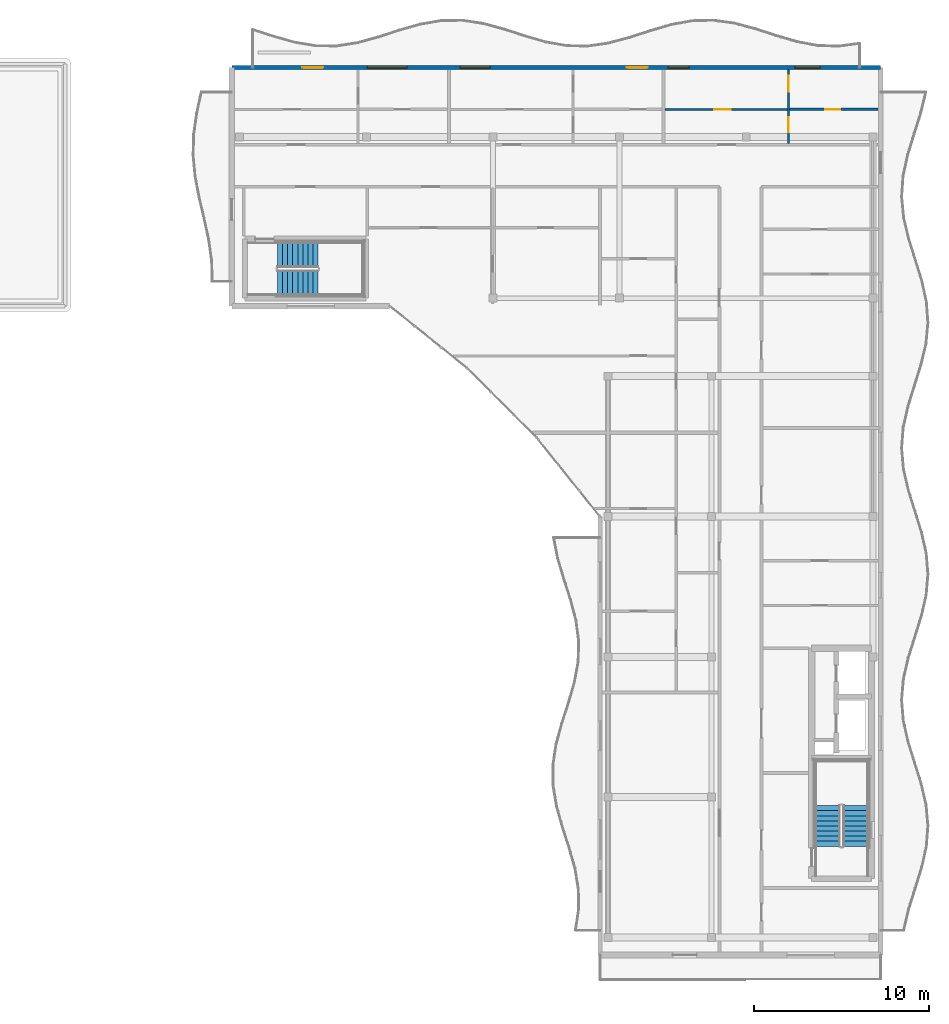
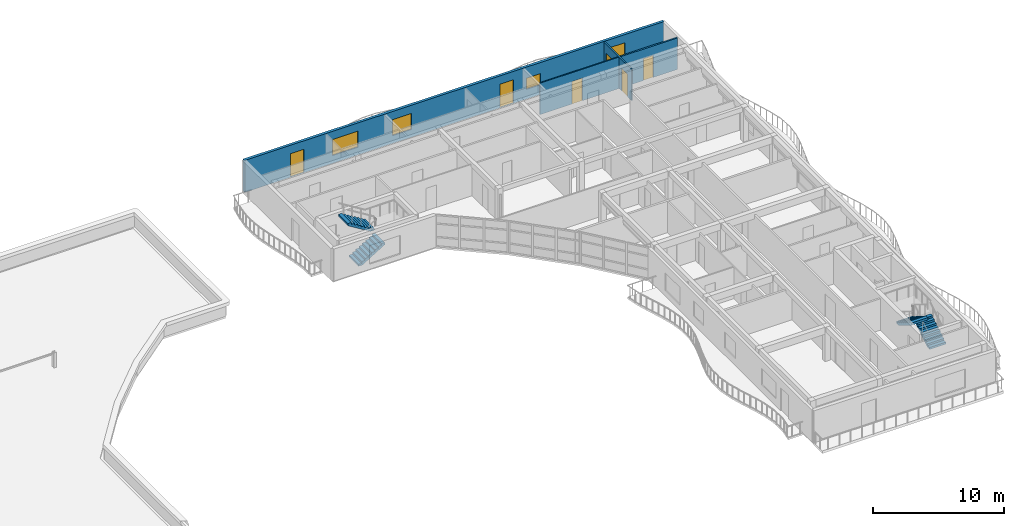
# One storey, part 13 of 18: 6 doors, 4 stair flights, 4 walls, 4 windows, 10 openings, 2 elements without a shape of their own.
"""IFC4 building model written with IfcOpenShell, lengths in metres."""

import ifcopenshell
import ifcopenshell.guid

model = None  # the IFC model being written
_history = None  # IfcOwnerHistory: only IFC2X3 demands one
_inside = {}  # id of a spatial element -> (the spatial element, [elements in it])
_under = {}  # id of a project, library or spatial element -> (it, [spatial elements below it])
_declared = {}  # id of a project -> (the project, [libraries it declares])
_typed = {}  # id of a type object -> (the type object, [elements of that type])
_made_of = {}  # id of a material, layer set ... -> (it, [elements and type objects made of it])


def new_model(schema):
    """Start an empty IFC model of exactly this schema.

    Asked for "IFC4X3", IfcOpenShell would pick the latest addendum, in which some entities
    have other attributes; the version numbers below select the first issue.
    IFC2X3 requires an IfcOwnerHistory on every rooted entity: one is made here for all.
    """
    global model, _history
    if schema == "IFC4X3":
        model = ifcopenshell.file(schema_version=(4, 3, 0, 0))
    else:
        model = ifcopenshell.file(schema=schema)
    _inside.clear()
    _under.clear()
    _declared.clear()
    _typed.clear()
    _made_of.clear()
    _history = None
    if model.schema == "IFC2X3":
        org = make("IfcOrganization", Name="unknown")
        user = make(
            "IfcPersonAndOrganization",
            ThePerson=make("IfcPerson", FamilyName="unknown"),
            TheOrganization=org,
        )
        app = make(
            "IfcApplication",
            ApplicationDeveloper=org,
            Version="unknown",
            ApplicationFullName="unknown",
            ApplicationIdentifier="unknown",
        )
        _history = make(
            "IfcOwnerHistory",
            OwningUser=user,
            OwningApplication=app,
            ChangeAction="ADDED",
            CreationDate=0,
        )
    return model


def make(cls, **values):
    """One entity of the class cls with the attributes given. An attribute that is None is left unset."""
    return model.create_entity(
        cls, **{name: value for name, value in values.items() if value is not None}
    )


def rooted(cls, **values):
    """An entity with a GlobalId (a new one), such as an element, a storey or a relation."""
    return make(cls, GlobalId=ifcopenshell.guid.new(), OwnerHistory=_history, **values)


def si_unit(unit_type, name, prefix=None):
    """IfcSIUnit, for example si_unit("LENGTHUNIT", "METRE", prefix="MILLI")."""
    return make("IfcSIUnit", UnitType=unit_type, Prefix=prefix, Name=name)


def assignment(units):
    """IfcUnitAssignment: the units of a project."""
    return None if units is None else make("IfcUnitAssignment", Units=units)


def point(xyz):
    """IfcCartesianPoint."""
    return None if xyz is None else make("IfcCartesianPoint", Coordinates=xyz)


def direction(xyz):
    """IfcDirection."""
    return None if xyz is None else make("IfcDirection", DirectionRatios=xyz)


def frame(location, z_axis=None, x_axis=None):
    """IfcAxis2Placement3D, a coordinate frame: its origin and axes. An axis left out is left unset."""
    return make(
        "IfcAxis2Placement3D",
        Location=point(location),
        Axis=direction(z_axis),
        RefDirection=direction(x_axis),
    )


def frame_2d(location, x_axis=None):
    """IfcAxis2Placement2D, a coordinate frame in the plane: its origin and x axis."""
    return make(
        "IfcAxis2Placement2D", Location=point(location), RefDirection=direction(x_axis)
    )


def origin():
    """The frame at (0, 0, 0) with its axes left unset."""
    return frame((0.0, 0.0, 0.0))


def place(relative_to, where):
    """IfcLocalPlacement: puts the frame where relative to a parent placement (None: the world)."""
    return make(
        "IfcLocalPlacement", PlacementRelTo=relative_to, RelativePlacement=where
    )


def context(
    kind, dimensions, precision=None, world=None, true_north=None, identifier=None
):
    """IfcGeometricRepresentationContext, for example the 3D "Model" context."""
    return make(
        "IfcGeometricRepresentationContext",
        ContextIdentifier=identifier,
        ContextType=kind,
        CoordinateSpaceDimension=dimensions,
        Precision=precision,
        WorldCoordinateSystem=world,
        TrueNorth=true_north,
    )


def subcontext(parent, identifier, kind, view, scale=None):
    """IfcGeometricRepresentationSubContext, for example "Body" below "Model"."""
    return make(
        "IfcGeometricRepresentationSubContext",
        ContextIdentifier=identifier,
        ContextType=kind,
        ParentContext=parent,
        TargetScale=scale,
        TargetView=view,
    )


def project(units=None, contexts=None):
    """IfcProject with its units and contexts."""
    return rooted(
        "IfcProject",
        Name="project",
        RepresentationContexts=contexts,
        UnitsInContext=assignment(units),
    )


def spatial(cls, under=None, at=None, **own):
    """A site, building, storey or space (cls), placed at a placement, below another one or the project."""
    s = rooted(cls, ObjectPlacement=at, **own)
    if under is not None:
        _under.setdefault(under.id(), (under, []))[1].append(s)
    return s


def polyline(points):
    """IfcPolyline through the points."""
    return make("IfcPolyline", Points=[point(p) for p in points])


def profile(cls, at=None, kind="AREA", **sizes):
    """A parametric profile (cls). Its sizes go by their IFC names, for example OverallWidth=200.0."""
    return make(cls, ProfileType=kind, Position=at, **sizes)


def rectangle(**sizes):
    """IfcRectangleProfileDef."""
    return profile("IfcRectangleProfileDef", **sizes)


def outline(outer, holes=None, kind="AREA"):
    """IfcArbitraryClosedProfileDef: a profile drawn as a closed curve; with holes, ...WithVoids."""
    if holes is None:
        return make("IfcArbitraryClosedProfileDef", ProfileType=kind, OuterCurve=outer)
    return make(
        "IfcArbitraryProfileDefWithVoids",
        ProfileType=kind,
        OuterCurve=outer,
        InnerCurves=holes,
    )


def extrude(swept, where, along, depth):
    """IfcExtrudedAreaSolid: the profile swept, set in the frame where, extruded along a direction by depth."""
    return make(
        "IfcExtrudedAreaSolid",
        SweptArea=swept,
        Position=where,
        ExtrudedDirection=direction(along),
        Depth=depth,
    )


def shape(context_of_items, identifier, shape_type, items):
    """IfcShapeRepresentation: the items that make up one representation, for example the "Body"."""
    return make(
        "IfcShapeRepresentation",
        ContextOfItems=context_of_items,
        RepresentationIdentifier=identifier,
        RepresentationType=shape_type,
        Items=items,
    )


def material(Name=None, Category=None):
    """IfcMaterial."""
    return make("IfcMaterial", Name=Name, Category=Category)


def layer(
    of_material, thickness, ventilated=None, Name=None, Category=None, Priority=None
):
    """IfcMaterialLayer: one layer of a wall or slab, of a material (None: an air gap)."""
    return make(
        "IfcMaterialLayer",
        Material=of_material,
        LayerThickness=thickness,
        IsVentilated=ventilated,
        Name=Name,
        Category=Category,
        Priority=Priority,
    )


def layer_set(layers, Name=None):
    """IfcMaterialLayerSet."""
    return make("IfcMaterialLayerSet", MaterialLayers=layers, LayerSetName=Name)


def made_of(thing, what):
    """Note that an element or type object is made of a material, layer set ...; save() writes the relation."""
    if what is not None:
        _made_of.setdefault(what.id(), (what, []))[1].append(thing)
    return thing


def type_object(cls, material=None, **own):
    """A type object (cls), such as IfcWallType, which elements share."""
    return made_of(rooted(cls, **own), material)


def element(
    cls,
    number,
    at=None,
    inside=None,
    cuts=None,
    type_object=None,
    material=None,
    context=None,
    identifier="Body",
    shape_type=None,
    held_by="IfcProductDefinitionShape",
    body=None,
    shapes=None,
    **own,
):
    """One element of the class cls, such as IfcWall. Its Tag is "e" and its number.

    at: its placement. inside: the storey or other place that contains it. cuts: it is an
    opening in that element (IfcRelVoidsElement). A single representation is given by context,
    identifier, shape_type and body (its items); several are given by shapes. held_by: the class
    of the entity that holds the representations. save() writes the other relations.
    """
    e = rooted(cls, Tag="e%d" % number, ObjectPlacement=at, **own)
    if body is not None:
        shapes = [shape(context, identifier, shape_type, body)]
    if shapes is not None:
        e.Representation = make(held_by, Representations=shapes)
    if inside is not None:
        _inside.setdefault(inside.id(), (inside, []))[1].append(e)
    if cuts is not None:
        rooted(
            "IfcRelVoidsElement", RelatingBuildingElement=cuts, RelatedOpeningElement=e
        )
    if type_object is not None:
        _typed.setdefault(type_object.id(), (type_object, []))[1].append(e)
    return made_of(e, material)


def fill(opening, filler):
    """IfcRelFillsElement: the door or window that sits in an opening."""
    return rooted(
        "IfcRelFillsElement",
        RelatingOpeningElement=opening,
        RelatedBuildingElement=filler,
    )


def aggregate(whole, parts):
    """IfcRelAggregates: a whole, such as a stair, and the parts it consists of."""
    return rooted("IfcRelAggregates", RelatingObject=whole, RelatedObjects=parts)


def save(model, path):
    """Write the relations noted so far, then the file.

    IfcRelAggregates (storeys below a building ...), IfcRelContainedInSpatialStructure (elements
    in a storey), IfcRelDefinesByType, IfcRelAssociatesMaterial and IfcRelDeclares: one each for
    every whole, place, type object, material and project.
    """
    for whole, parts in _under.values():
        aggregate(whole, parts)
    for where, things in _inside.values():
        rooted(
            "IfcRelContainedInSpatialStructure",
            RelatedElements=things,
            RelatingStructure=where,
        )
    for kind, things in _typed.values():
        rooted("IfcRelDefinesByType", RelatedObjects=things, RelatingType=kind)
    for what, things in _made_of.values():
        rooted("IfcRelAssociatesMaterial", RelatedObjects=things, RelatingMaterial=what)
    for by, libraries in _declared.values():
        rooted("IfcRelDeclares", RelatingContext=by, RelatedDefinitions=libraries)
    model.write(path)


model = new_model("IFC4")

# Units and contexts
model_context = context("Model", 3, precision=1e-05, world=origin(), true_north=direction((0.0, 1.0)))
body_context = subcontext(model_context, "Body", "Model", "MODEL_VIEW")
ifc_project = project(units=[si_unit("LENGTHUNIT", "METRE"), si_unit("AREAUNIT", "SQUARE_METRE"), si_unit("VOLUMEUNIT", "CUBIC_METRE"), si_unit("PLANEANGLEUNIT", "RADIAN"), si_unit("MASSUNIT", "GRAM", prefix="KILO")], contexts=[model_context])

# Site, building, storey
site_placement = place(None, origin())
site = spatial("IfcSite", under=ifc_project, at=site_placement, CompositionType="ELEMENT")
building_placement = place(site_placement, origin())
building = spatial("IfcBuilding", under=site, at=building_placement, Name="Keldmere Railside Commons", CompositionType="ELEMENT")
storey_placement = place(building_placement, frame((0.0, 0.0, 39.360107421875)))
storey = spatial("IfcBuildingStorey", under=building, at=storey_placement, Name="L12", CompositionType="ELEMENT", Elevation=39.360107421875)

# Wall, openings, doors
ifc_material_1 = material(Name="Acoustic Gypsum Board Partition", Category="gypsum")
ifc_layer_1 = layer(ifc_material_1, 0.1201171875, Name="Apartment Interior Partition 120")
ifc_layer_set_1 = layer_set([ifc_layer_1], Name="Acoustic Gypsum Board Partition")
wall_type_1 = type_object("IfcWallType", Name="Apartment Interior Partition 120", PredefinedType="PARTITIONING", material=ifc_layer_set_1)
wall_1_placement = place(storey_placement, frame((178.739990234375, 109.280029296875, 0.0), z_axis=(0.0, 0.0, 1.0), x_axis=(0.0, 1.0, 0.0)))
wall_1 = element("IfcWall", 1, at=wall_1_placement, inside=storey, type_object=wall_type_1, Name="IW-4 IW-L12-1921", PredefinedType="PARTITIONING", context=body_context, shape_type="SweptSolid", body=[
    extrude(rectangle(XDim=4.199951171875, YDim=0.1201171875, at=frame_2d((2.10009765625, 0.0))), origin(), (0.0, 0.0, 1.0), 2.934814453125),
])
opening_1_placement = place(wall_1_placement, frame((0.61767578125, 0.0, 0.0)))
opening_1 = element("IfcOpeningElement", 2, at=opening_1_placement, cuts=wall_1, Name="Opening ID-04", PredefinedType="OPENING", context=body_context, shape_type="SweptSolid", body=[
    extrude(rectangle(XDim=0.860107421875, YDim=2.10009765625, at=frame_2d((0.43017578125, 1.050048828125))), frame((0.0, 0.070068359375, 0.0), z_axis=(0.0, -1.0, 0.0), x_axis=(1.0, 0.0, 0.0)), (0.0, 0.0, 1.0), 0.14013671875),
])
opening_2_placement = place(wall_1_placement, frame((2.951416015625, 0.0, 0.0)))
opening_2 = element("IfcOpeningElement", 3, at=opening_2_placement, cuts=wall_1, Name="Opening ID-01", PredefinedType="OPENING", context=body_context, shape_type="SweptSolid", body=[
    extrude(rectangle(XDim=0.89990234375, YDim=2.10009765625, at=frame_2d((0.449951171875, 1.050048828125))), frame((0.0, 0.070068359375, 0.0), z_axis=(0.0, -1.0, 0.0), x_axis=(1.0, 0.0, 0.0)), (0.0, 0.0, 1.0), 0.14013671875),
])
ifc_material_2 = material(Name="Engineered Oak Timber", Category="wood")
door_type_1 = type_object("IfcDoorType", Name="Apartment Bathroom Door 860x2100", OperationType="NOTDEFINED", PredefinedType="DOOR", material=ifc_material_2)
door_1_placement = place(opening_1_placement, origin())
door_1 = element("IfcDoor", 4, at=door_1_placement, inside=storey, type_object=door_type_1, Name="ID-04 IDR-L12-1763", OperationType="SINGLE_SWING_LEFT", OverallHeight=2.10009765625, OverallWidth=0.860107421875, PredefinedType="DOOR", context=body_context, shape_type="SweptSolid", body=[
    extrude(rectangle(XDim=0.860107421875, YDim=2.10009765625, at=frame_2d((0.43017578125, 1.050048828125))), frame((0.0, 0.02490234375, 0.0), z_axis=(0.0, -1.0, 0.0), x_axis=(1.0, 0.0, 0.0)), (0.0, 0.0, 1.0), 0.050048828125),
])
fill(opening_1, door_1)
door_type_2 = type_object("IfcDoorType", Name="Primary Bedroom Door 900x2100", OperationType="NOTDEFINED", PredefinedType="DOOR", material=ifc_material_2)
door_2_placement = place(opening_2_placement, origin())
door_2 = element("IfcDoor", 5, at=door_2_placement, inside=storey, type_object=door_type_2, Name="ID-01 IDR-L12-1764", OperationType="SINGLE_SWING_RIGHT", OverallHeight=2.10009765625, OverallWidth=0.89990234375, PredefinedType="DOOR", context=body_context, shape_type="SweptSolid", body=[
    extrude(rectangle(XDim=0.89990234375, YDim=2.10009765625, at=frame_2d((0.449951171875, 1.050048828125))), frame((0.0, 0.02490234375, 0.0), z_axis=(0.0, -1.0, 0.0), x_axis=(1.0, 0.0, 0.0)), (0.0, 0.0, 1.0), 0.050048828125),
])
fill(opening_2, door_2)

# Wall, opening, door
ifc_layer_2 = layer(ifc_material_1, 0.10009765625, Name="Closet Light Partition 100")
ifc_layer_set_2 = layer_set([ifc_layer_2], Name="Acoustic Gypsum Board Partition")
wall_type_2 = type_object("IfcWallType", Name="Closet Light Partition 100", PredefinedType="PARTITIONING", material=ifc_layer_set_2)
wall_2_placement = place(storey_placement, frame((171.699951171875, 111.2099609375, 0.0), z_axis=(0.0, 0.0, 1.0), x_axis=(1.0, 0.0, 0.0)))
wall_2 = element("IfcWall", 6, at=wall_2_placement, inside=storey, type_object=wall_type_2, Name="IW-6 IW-L12-1923", PredefinedType="PARTITIONING", context=body_context, shape_type="SweptSolid", body=[
    extrude(rectangle(XDim=6.97998046875, YDim=0.10009765625, at=frame_2d((3.489990234375, 0.0))), origin(), (0.0, 0.0, 1.0), 2.934814453125),
])
opening_3_placement = place(wall_2_placement, frame((2.81591796875, 0.0, 0.0)))
opening_3 = element("IfcOpeningElement", 7, at=opening_3_placement, cuts=wall_2, Name="Opening ID-03", PredefinedType="OPENING", context=body_context, shape_type="SweptSolid", body=[
    extrude(rectangle(XDim=0.919921875, YDim=2.10009765625, at=frame_2d((0.4599609375, 1.050048828125))), frame((0.0, 0.06005859375, 0.0), z_axis=(0.0, -1.0, 0.0), x_axis=(1.0, 0.0, 0.0)), (0.0, 0.0, 1.0), 0.1201171875),
])
door_type_3 = type_object("IfcDoorType", Name="Kitchen Pocket-Frame Swing Door 920x2100", OperationType="NOTDEFINED", PredefinedType="DOOR", material=ifc_material_2)
door_3_placement = place(opening_3_placement, origin())
door_3 = element("IfcDoor", 8, at=door_3_placement, inside=storey, type_object=door_type_3, Name="ID-03 IDR-L12-1762", OperationType="SINGLE_SWING_RIGHT", OverallHeight=2.10009765625, OverallWidth=0.919921875, PredefinedType="DOOR", context=body_context, shape_type="SweptSolid", body=[
    extrude(rectangle(XDim=0.919921875, YDim=2.10009765625, at=frame_2d((0.4599609375, 1.050048828125))), frame((0.0, 0.02490234375, 0.0), z_axis=(0.0, -1.0, 0.0), x_axis=(1.0, 0.0, 0.0)), (0.0, 0.0, 1.0), 0.050048828125),
])
fill(opening_3, door_3)

# Wall, openings, windows, doors
ifc_material_3 = material(Name="Architectural Precast Concrete H-35 (C35/45)", Category="concrete")
ifc_layer_3 = layer(ifc_material_3, 0.239990234375, Name="Sand-Ochre Precast Cavity Wall 240")
ifc_layer_set_3 = layer_set([ifc_layer_3], Name="Architectural Precast Concrete H-35 (C35/45)")
wall_type_3 = type_object("IfcWallType", Name="Sand-Ochre Precast Cavity Wall 240", PredefinedType="SOLIDWALL", material=ifc_layer_set_3)
wall_3_placement = place(storey_placement, frame((147.0, 113.60009765625, 0.0), z_axis=(0.0, 0.0, 1.0), x_axis=(1.0, 0.0, 0.0)))
wall_3 = element("IfcWall", 9, at=wall_3_placement, inside=storey, type_object=wall_type_3, Name="EW-2 EXTA-L12-0960", PredefinedType="SOLIDWALL", context=body_context, shape_type="SweptSolid", body=[
    extrude(rectangle(XDim=37.0, YDim=0.239990234375, at=frame_2d((18.5, 0.0))), origin(), (0.0, 0.0, 1.0), 2.97998046875),
])
opening_4_placement = place(wall_3_placement, frame((4.02490234375, 0.0, 0.0)))
opening_4 = element("IfcOpeningElement", 10, at=opening_4_placement, cuts=wall_3, Name="Opening BD-01", PredefinedType="OPENING", context=body_context, shape_type="SweptSolid", body=[
    extrude(rectangle(XDim=1.199951171875, YDim=2.199951171875, at=frame_2d((0.60009765625, 1.10009765625))), frame((0.0, 0.1298828125, 0.0), z_axis=(0.0, -1.0, 0.0), x_axis=(1.0, 0.0, 0.0)), (0.0, 0.0, 1.0), 0.260009765625),
])
opening_5_placement = place(wall_3_placement, frame((7.72509765625, 0.0, 0.719970703125)))
opening_5 = element("IfcOpeningElement", 11, at=opening_5_placement, cuts=wall_3, Name="Opening WN-12", PredefinedType="OPENING", context=body_context, shape_type="SweptSolid", body=[
    extrude(rectangle(XDim=2.25, YDim=1.5, at=frame_2d((1.125, 0.75))), frame((0.0, 0.1298828125, 0.0), z_axis=(0.0, -1.0, 0.0), x_axis=(1.0, 0.0, 0.0)), (0.0, 0.0, 1.0), 0.260009765625),
])
opening_6_placement = place(wall_3_placement, frame((13.02490234375, 0.0, 0.719970703125)))
opening_6 = element("IfcOpeningElement", 12, at=opening_6_placement, cuts=wall_3, Name="Opening WN-20", PredefinedType="OPENING", context=body_context, shape_type="SweptSolid", body=[
    extrude(rectangle(XDim=1.699951171875, YDim=1.5, at=frame_2d((0.85009765625, 0.75))), frame((0.0, 0.1298828125, 0.0), z_axis=(0.0, -1.0, 0.0), x_axis=(1.0, 0.0, 0.0)), (0.0, 0.0, 1.0), 0.260009765625),
])
opening_7_placement = place(wall_3_placement, frame((22.52490234375, 0.0, 0.0)))
opening_7 = element("IfcOpeningElement", 13, at=opening_7_placement, cuts=wall_3, Name="Opening BD-01", PredefinedType="OPENING", context=body_context, shape_type="SweptSolid", body=[
    extrude(rectangle(XDim=1.199951171875, YDim=2.199951171875, at=frame_2d((0.60009765625, 1.10009765625))), frame((0.0, 0.1298828125, 0.0), z_axis=(0.0, -1.0, 0.0), x_axis=(1.0, 0.0, 0.0)), (0.0, 0.0, 1.0), 0.260009765625),
])
opening_8_placement = place(wall_3_placement, frame((24.875, 0.0, 0.89990234375)))
opening_8 = element("IfcOpeningElement", 14, at=opening_8_placement, cuts=wall_3, Name="Opening WN-14", PredefinedType="OPENING", context=body_context, shape_type="SweptSolid", body=[
    extrude(rectangle(XDim=1.199951171875, YDim=1.050048828125, at=frame_2d((0.60009765625, 0.52490234375))), frame((0.0, 0.1298828125, 0.0), z_axis=(0.0, -1.0, 0.0), x_axis=(1.0, 0.0, 0.0)), (0.0, 0.0, 1.0), 0.260009765625),
])
opening_9_placement = place(wall_3_placement, frame((32.10009765625, 0.0, 0.77001953125)))
opening_9 = element("IfcOpeningElement", 15, at=opening_9_placement, cuts=wall_3, Name="Opening WN-24", PredefinedType="OPENING", context=body_context, shape_type="SweptSolid", body=[
    extrude(rectangle(XDim=1.449951171875, YDim=1.449951171875, at=frame_2d((0.72509765625, 0.72509765625))), frame((0.0, 0.1298828125, 0.0), z_axis=(0.0, -1.0, 0.0), x_axis=(1.0, 0.0, 0.0)), (0.0, 0.0, 1.0), 0.260009765625),
])
ifc_material_4 = material(Name="Low-E Insulated Double Glazing", Category="glass")
window_type_1 = type_object("IfcWindowType", Name="Apartment Kitchen Ribbon Window 1200x1050", PartitioningType="SINGLE_PANEL", PredefinedType="WINDOW", material=ifc_material_4)
window_1_placement = place(opening_8_placement, origin())
window_1 = element("IfcWindow", 16, at=window_1_placement, inside=storey, type_object=window_type_1, Name="WN-14 WIN-L12-0795", OverallHeight=1.050048828125, OverallWidth=1.199951171875, PartitioningType="SINGLE_PANEL", PredefinedType="WINDOW", context=body_context, shape_type="SweptSolid", body=[
    extrude(rectangle(XDim=1.199951171875, YDim=1.050048828125, at=frame_2d((0.60009765625, 0.52490234375))), frame((0.0, 0.030029296875, 0.0), z_axis=(0.0, -1.0, 0.0), x_axis=(1.0, 0.0, 0.0)), (0.0, 0.0, 1.0), 0.06005859375),
])
fill(opening_8, window_1)
ifc_material_5 = material(Name="Thermally Broken Aluminium", Category="aluminium")
door_type_4 = type_object("IfcDoorType", Name="Apartment Living Wave-Balcony Glazed Door 1200x2200", OperationType="NOTDEFINED", PredefinedType="DOOR", material=ifc_material_5)
door_4_placement = place(opening_4_placement, origin())
door_4 = element("IfcDoor", 17, at=door_4_placement, inside=storey, type_object=door_type_4, Name="BD-01 DR-L12-0287", OperationType="SINGLE_SWING_LEFT", OverallHeight=2.199951171875, OverallWidth=1.199951171875, PredefinedType="DOOR", context=body_context, shape_type="SweptSolid", body=[
    extrude(rectangle(XDim=1.199951171875, YDim=2.199951171875, at=frame_2d((0.60009765625, 1.10009765625))), frame((0.0, 0.02490234375, 0.0), z_axis=(0.0, -1.0, 0.0), x_axis=(1.0, 0.0, 0.0)), (0.0, 0.0, 1.0), 0.050048828125),
])
fill(opening_4, door_4)
door_5_placement = place(opening_7_placement, origin())
door_5 = element("IfcDoor", 18, at=door_5_placement, inside=storey, type_object=door_type_4, Name="BD-01 DR-L12-0288", OperationType="SINGLE_SWING_RIGHT", OverallHeight=2.199951171875, OverallWidth=1.199951171875, PredefinedType="DOOR", context=body_context, shape_type="SweptSolid", body=[
    extrude(rectangle(XDim=1.199951171875, YDim=2.199951171875, at=frame_2d((0.60009765625, 1.10009765625))), frame((0.0, 0.02490234375, 0.0), z_axis=(0.0, -1.0, 0.0), x_axis=(1.0, 0.0, 0.0)), (0.0, 0.0, 1.0), 0.050048828125),
])
fill(opening_7, door_5)
window_type_2 = type_object("IfcWindowType", Name="Setback Terrace Bedroom Window 1450x1450", PartitioningType="SINGLE_PANEL", PredefinedType="WINDOW", material=ifc_material_4)
window_2_placement = place(opening_9_placement, origin())
window_2 = element("IfcWindow", 19, at=window_2_placement, inside=storey, type_object=window_type_2, Name="WN-24 WIN-L12-0796", OverallHeight=1.449951171875, OverallWidth=1.449951171875, PartitioningType="SINGLE_PANEL", PredefinedType="WINDOW", context=body_context, shape_type="SweptSolid", body=[
    extrude(rectangle(XDim=1.449951171875, YDim=1.449951171875, at=frame_2d((0.72509765625, 0.72509765625))), frame((0.0, 0.030029296875, 0.0), z_axis=(0.0, -1.0, 0.0), x_axis=(1.0, 0.0, 0.0)), (0.0, 0.0, 1.0), 0.06005859375),
])
fill(opening_9, window_2)
window_type_3 = type_object("IfcWindowType", Name="Studio Court Ribbon Window 2250x1500", PartitioningType="SINGLE_PANEL", PredefinedType="WINDOW", material=ifc_material_4)
window_3_placement = place(opening_5_placement, origin())
window_3 = element("IfcWindow", 20, at=window_3_placement, inside=storey, type_object=window_type_3, Name="WN-12 WIN-L12-0793", OverallHeight=1.5, OverallWidth=2.25, PartitioningType="SINGLE_PANEL", PredefinedType="WINDOW", context=body_context, shape_type="SweptSolid", body=[
    extrude(rectangle(XDim=2.25, YDim=1.5, at=frame_2d((1.125, 0.75))), frame((0.0, 0.030029296875, 0.0), z_axis=(0.0, -1.0, 0.0), x_axis=(1.0, 0.0, 0.0)), (0.0, 0.0, 1.0), 0.06005859375),
])
fill(opening_5, window_3)
window_type_4 = type_object("IfcWindowType", Name="Study Room Quiet Casement Window 1700x1500", PartitioningType="SINGLE_PANEL", PredefinedType="WINDOW", material=ifc_material_4)
window_4_placement = place(opening_6_placement, origin())
window_4 = element("IfcWindow", 21, at=window_4_placement, inside=storey, type_object=window_type_4, Name="WN-20 WIN-L12-0794", OverallHeight=1.5, OverallWidth=1.699951171875, PartitioningType="SINGLE_PANEL", PredefinedType="WINDOW", context=body_context, shape_type="SweptSolid", body=[
    extrude(rectangle(XDim=1.699951171875, YDim=1.5, at=frame_2d((0.85009765625, 0.75))), frame((0.0, 0.030029296875, 0.0), z_axis=(0.0, -1.0, 0.0), x_axis=(1.0, 0.0, 0.0)), (0.0, 0.0, 1.0), 0.06005859375),
])
fill(opening_6, window_4)

# Wall, opening, door
ifc_layer_4 = layer(ifc_material_1, 0.139892578125, Name="Wet-Room Sanitary Partition 140")
ifc_layer_set_4 = layer_set([ifc_layer_4], Name="Acoustic Gypsum Board Partition")
wall_type_4 = type_object("IfcWallType", Name="Wet-Room Sanitary Partition 140", PredefinedType="PARTITIONING", material=ifc_layer_set_4)
wall_4_placement = place(storey_placement, frame((178.800048828125, 111.2099609375, 0.0), z_axis=(0.0, 0.0, 1.0), x_axis=(1.0, 0.0, 0.0)))
wall_4 = element("IfcWall", 22, at=wall_4_placement, inside=storey, type_object=wall_type_4, Name="IW-5 IW-L12-1922", PredefinedType="PARTITIONING", context=body_context, shape_type="SweptSolid", body=[
    extrude(rectangle(XDim=5.0400390625, YDim=0.139892578125, at=frame_2d((2.52001953125, 0.0))), origin(), (0.0, 0.0, 1.0), 2.934814453125),
])
opening_10_placement = place(wall_4_placement, frame((2.0400390625, 0.0, 0.0)))
opening_10 = element("IfcOpeningElement", 23, at=opening_10_placement, cuts=wall_4, Name="Opening ID-06", PredefinedType="OPENING", context=body_context, shape_type="SweptSolid", body=[
    extrude(rectangle(XDim=0.85009765625, YDim=2.050048828125, at=frame_2d((0.425048828125, 1.02490234375))), frame((0.0, 0.079833984375, 0.0), z_axis=(0.0, -1.0, 0.0), x_axis=(1.0, 0.0, 0.0)), (0.0, 0.0, 1.0), 0.159912109375),
])
door_type_5 = type_object("IfcDoorType", Name="Storage Closet Door 850x2050", OperationType="NOTDEFINED", PredefinedType="DOOR", material=ifc_material_2)
door_6_placement = place(opening_10_placement, origin())
door_6 = element("IfcDoor", 24, at=door_6_placement, inside=storey, type_object=door_type_5, Name="ID-06 IDR-L12-1765", OperationType="SINGLE_SWING_LEFT", OverallHeight=2.050048828125, OverallWidth=0.85009765625, PredefinedType="DOOR", context=body_context, shape_type="SweptSolid", body=[
    extrude(rectangle(XDim=0.85009765625, YDim=2.050048828125, at=frame_2d((0.425048828125, 1.02490234375))), frame((0.0, 0.02490234375, 0.0), z_axis=(0.0, -1.0, 0.0), x_axis=(1.0, 0.0, 0.0)), (0.0, 0.0, 1.0), 0.050048828125),
])
fill(opening_10, door_6)

# Stair, stair flights
ifc_material_6 = material(Name="Concrete H-30 (C30/37)", Category="concrete")
stair_type = type_object("IfcStairType", Name="Residential Core Dogleg Stair 1450", PredefinedType="HALF_TURN_STAIR", material=ifc_material_6)
stair_1_placement = place(storey_placement, origin())
stair_1 = element("IfcStair", 25, at=stair_1_placement, inside=storey, type_object=stair_type, Name="L12 Block A Primary Escape Stair 1", PredefinedType="HALF_TURN_STAIR")
stair_flight_type = type_object("IfcStairFlightType", Name="Residential Core Stair Flight 1450", PredefinedType="STRAIGHT", material=ifc_material_6)
stair_flight_1_placement = place(storey_placement, frame((182.574951171875, 69.199951171875, 0.0), z_axis=(0.0, 0.0, 1.0), x_axis=(0.0, 1.0, 0.0)))
stair_flight_1 = element("IfcStairFlight", 26, at=stair_flight_1_placement, type_object=stair_flight_type, Name="ST-A1 flight 1", NumberOfRisers=9, NumberOfTreads=8, PredefinedType="STRAIGHT", RiserHeight=0.177777778, TreadLength=0.29, context=body_context, shape_type="SweptSolid", body=[
    extrude(outline(polyline([(0.0, 0.0), (0.0, 0.177734375), (0.2900390625, 0.177734375), (0.2900390625, 0.35546875), (0.580078125, 0.35546875), (0.580078125, 0.533447265625), (0.8701171875, 0.533447265625), (0.8701171875, 0.711181640625), (1.159912109375, 0.711181640625), (1.159912109375, 0.888916015625), (1.449951171875, 0.888916015625), (1.449951171875, 1.066650390625), (1.739990234375, 1.066650390625), (1.739990234375, 1.244384765625), (2.030029296875, 1.244384765625), (2.030029296875, 1.422119140625), (2.320068359375, 1.422119140625), (2.320068359375, 1.60009765625), (2.320068359375, 1.211181640625), (0.34423828125, 0.0), (0.0, 0.0)])), frame((0.0, 0.72509765625, 0.0), z_axis=(0.0, -1.0, 0.0), x_axis=(1.0, 0.0, 0.0)), (0.0, 0.0, 1.0), 1.449951171875),
])
stair_flight_2_placement = place(storey_placement, frame((180.97509765625, 71.52001953125, 1.599853515625), z_axis=(0.0, 0.0, 1.0), x_axis=(0.0, -1.0, 0.0)))
stair_flight_2 = element("IfcStairFlight", 27, at=stair_flight_2_placement, type_object=stair_flight_type, Name="ST-A1 flight 2", NumberOfRisers=9, NumberOfTreads=8, PredefinedType="STRAIGHT", RiserHeight=0.177777778, TreadLength=0.29, context=body_context, shape_type="SweptSolid", body=[
    extrude(outline(polyline([(0.0, 0.0), (0.0, 0.177734375), (0.2900390625, 0.177734375), (0.2900390625, 0.35546875), (0.580078125, 0.35546875), (0.580078125, 0.533447265625), (0.8701171875, 0.533447265625), (0.8701171875, 0.711181640625), (1.159912109375, 0.711181640625), (1.159912109375, 0.888916015625), (1.449951171875, 0.888916015625), (1.449951171875, 1.066650390625), (1.739990234375, 1.066650390625), (1.739990234375, 1.244384765625), (2.030029296875, 1.244384765625), (2.030029296875, 1.422119140625), (2.320068359375, 1.422119140625), (2.320068359375, 1.60009765625), (2.320068359375, 1.211181640625), (0.34423828125, 0.0), (0.0, 0.0)])), frame((0.0, 0.72509765625, 0.0), z_axis=(0.0, -1.0, 0.0), x_axis=(1.0, 0.0, 0.0)), (0.0, 0.0, 1.0), 1.449951171875),
])
aggregate(stair_1, [stair_flight_1, stair_flight_2])

stair_2_placement = place(storey_placement, origin())
stair_2 = element("IfcStair", 28, at=stair_2_placement, inside=storey, type_object=stair_type, Name="L12 Block A Secondary Escape Stair 2", PredefinedType="HALF_TURN_STAIR")
stair_flight_3_placement = place(storey_placement, frame((149.60009765625, 101.324951171875, 0.0), z_axis=(0.0, 0.0, 1.0), x_axis=(1.0, 0.0, 0.0)))
stair_flight_3 = element("IfcStairFlight", 29, at=stair_flight_3_placement, type_object=stair_flight_type, Name="ST-A2 flight 1", NumberOfRisers=9, NumberOfTreads=8, PredefinedType="STRAIGHT", RiserHeight=0.177777778, TreadLength=0.29, context=body_context, shape_type="SweptSolid", body=[
    extrude(outline(polyline([(0.0, 0.0), (0.0, 0.177734375), (0.2900390625, 0.177734375), (0.2900390625, 0.35546875), (0.580078125, 0.35546875), (0.580078125, 0.533447265625), (0.8701171875, 0.533447265625), (0.8701171875, 0.711181640625), (1.159912109375, 0.711181640625), (1.159912109375, 0.888916015625), (1.449951171875, 0.888916015625), (1.449951171875, 1.066650390625), (1.739990234375, 1.066650390625), (1.739990234375, 1.244384765625), (2.030029296875, 1.244384765625), (2.030029296875, 1.422119140625), (2.320068359375, 1.422119140625), (2.320068359375, 1.60009765625), (2.320068359375, 1.211181640625), (0.34423828125, 0.0), (0.0, 0.0)])), frame((0.0, 0.72509765625, 0.0), z_axis=(0.0, -1.0, 0.0), x_axis=(1.0, 0.0, 0.0)), (0.0, 0.0, 1.0), 1.449951171875),
])
stair_flight_4_placement = place(storey_placement, frame((151.919921875, 102.925048828125, 1.599853515625), z_axis=(0.0, 0.0, 1.0), x_axis=(-1.0, 0.0, 0.0)))
stair_flight_4 = element("IfcStairFlight", 30, at=stair_flight_4_placement, type_object=stair_flight_type, Name="ST-A2 flight 2", NumberOfRisers=9, NumberOfTreads=8, PredefinedType="STRAIGHT", RiserHeight=0.177777778, TreadLength=0.29, context=body_context, shape_type="SweptSolid", body=[
    extrude(outline(polyline([(0.0, 0.0), (0.0, 0.177734375), (0.2900390625, 0.177734375), (0.2900390625, 0.35546875), (0.580078125, 0.35546875), (0.580078125, 0.533447265625), (0.8701171875, 0.533447265625), (0.8701171875, 0.711181640625), (1.159912109375, 0.711181640625), (1.159912109375, 0.888916015625), (1.449951171875, 0.888916015625), (1.449951171875, 1.066650390625), (1.739990234375, 1.066650390625), (1.739990234375, 1.244384765625), (2.030029296875, 1.244384765625), (2.030029296875, 1.422119140625), (2.320068359375, 1.422119140625), (2.320068359375, 1.60009765625), (2.320068359375, 1.211181640625), (0.34423828125, 0.0), (0.0, 0.0)])), frame((0.0, 0.72509765625, 0.0), z_axis=(0.0, -1.0, 0.0), x_axis=(1.0, 0.0, 0.0)), (0.0, 0.0, 1.0), 1.449951171875),
])
aggregate(stair_2, [stair_flight_3, stair_flight_4])

save(model, "model.ifc")
